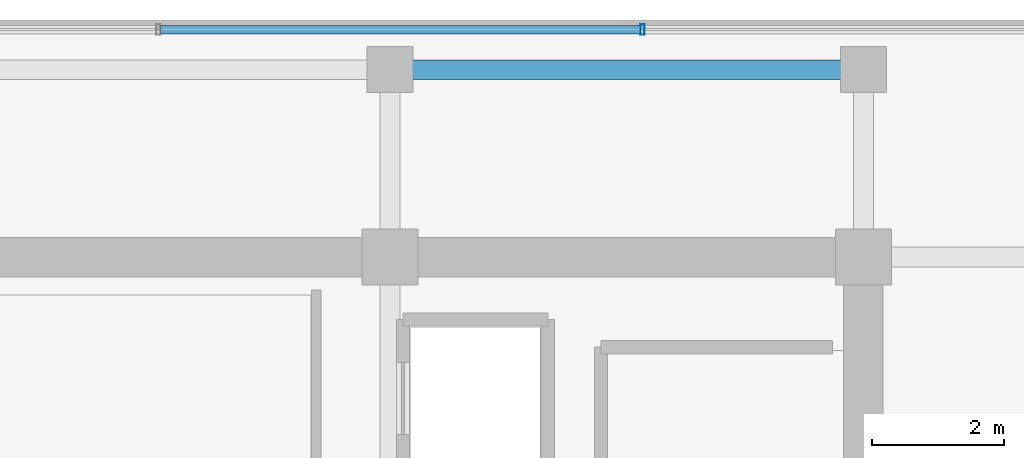
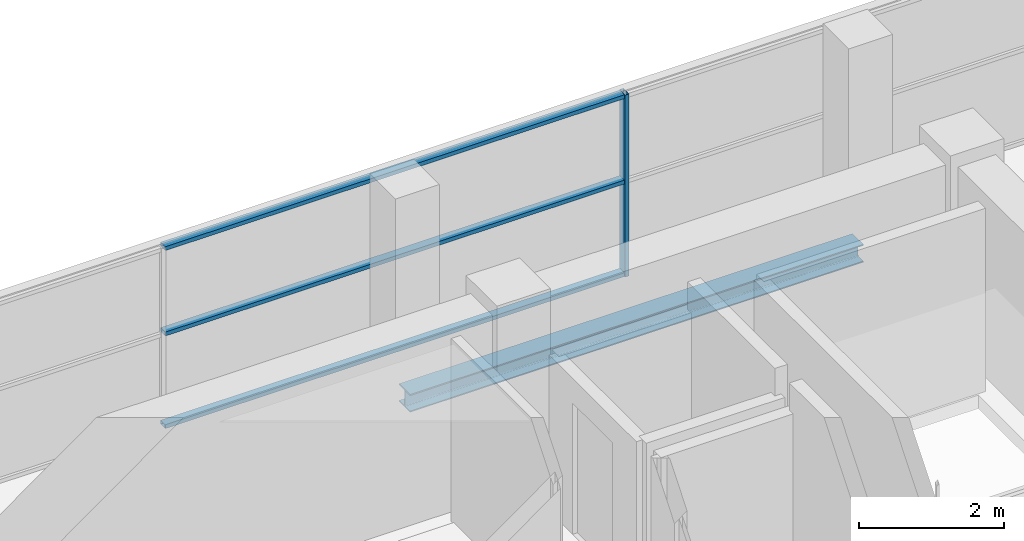
# One storey, part 20 of 29: 4 members, 1 beam, 1 element without a shape of its own.
"""IFC4 building model written with IfcOpenShell, lengths in metres."""

from ifc_helpers import new_model, si_unit, direction, frame, origin, origin_2d, place, context, subcontext, project, spatial, hollow_rectangle, i_section, extrude, source, transform, mapped, material, layer, layer_set, material_profile, profile_set, type_object, element, aggregate, save


model = new_model("IFC4")

# Units and contexts
model_context = context("Model", 3, precision=1e-05, world=origin(), true_north=direction((0.0, 1.0)))
body_context = subcontext(model_context, "Body", "Model", "MODEL_VIEW")
ifc_project = project(units=[si_unit("LENGTHUNIT", "METRE"), si_unit("AREAUNIT", "SQUARE_METRE"), si_unit("VOLUMEUNIT", "CUBIC_METRE"), si_unit("PLANEANGLEUNIT", "RADIAN"), si_unit("MASSUNIT", "GRAM", prefix="KILO")], contexts=[model_context])

# Site, building, storey
site_placement = place(None, origin())
site = spatial("IfcSite", under=ifc_project, at=site_placement, CompositionType="ELEMENT")
building_placement = place(site_placement, origin())
building = spatial("IfcBuilding", under=site, at=building_placement, Name="Zarnakvel Exchange Tower", CompositionType="ELEMENT")
storey_placement = place(building_placement, frame((0.0, 0.0, 265.0)))
storey = spatial("IfcBuildingStorey", under=building, at=storey_placement, Name="L75", CompositionType="ELEMENT", Elevation=265.0)

# Beam
ifc_material_1 = material(Name="Steel S355", Category="steel")
ifc_material_profile_1 = material_profile(ifc_material_1, i_section(OverallWidth=0.300048828125, OverallDepth=0.300048828125, WebThickness=0.010986328125, FlangeThickness=0.01904296875, FilletRadius=0.027099609375, at=origin_2d()))
ifc_profile_set_1 = profile_set([ifc_material_profile_1], Name="Steel S355")
beam_type = type_object("IfcBeamType", Name="SP-03", PredefinedType="SPANDREL", material=ifc_profile_set_1)
beam_placement = place(storey_placement, frame((7.199951171875, 16.35009765625, -0.375), z_axis=(1.0, 0.0, 0.0), x_axis=(0.0, 1.0, 0.0)))
element("IfcBeam", 1, at=beam_placement, inside=storey, type_object=beam_type, Name="L75 Tower E-W Frame Beam", PredefinedType="SPANDREL", context=body_context, shape_type="SweptSolid", body=[
    extrude(i_section(OverallWidth=0.300048828125, OverallDepth=0.300048828125, WebThickness=0.010986328125, FlangeThickness=0.01904296875, FilletRadius=0.027099609375, at=origin_2d()), origin(), (0.0, 0.0, 1.0), 7.199951171875),
])

# Curtain wall, members
ifc_material_2 = material(Name="Architectural Bronze Anodised Aluminium", Category="aluminium")
ifc_layer = layer(ifc_material_2, 0.159912109375)
ifc_layer_set = layer_set([ifc_layer], Name="Architectural Bronze Anodised Aluminium")
curtain_wall_type = type_object("IfcCurtainWallType", Name="CW-06", PredefinedType="NOTDEFINED", material=ifc_layer_set)
curtain_wall_placement = place(storey_placement, origin())
curtain_wall = element("IfcCurtainWall", 2, at=curtain_wall_placement, inside=storey, type_object=curtain_wall_type, Name="L75 Curtain Wall CW-L75-N1 (CW-06)", PredefinedType="NOTDEFINED")
ifc_material_profile_2 = material_profile(ifc_material_2, hollow_rectangle(XDim=0.1298828125, YDim=0.06494140625, WallThickness=0.00390625, at=origin_2d()))
ifc_profile_set_2 = profile_set([ifc_material_profile_2], Name="Architectural Bronze Anodised Aluminium")
member_type_1 = type_object("IfcMemberType", Name="CWT-06", PredefinedType="USERDEFINED", material=ifc_profile_set_2)
shared_shape_1 = source(origin(), body_context, "Body", "SweptSolid", [
    extrude(hollow_rectangle(XDim=0.1298828125, YDim=0.06494140625, WallThickness=0.00390625, at=origin_2d()), origin(), (0.0, 0.0, 1.0), 7.295166015625),
])
member_1_placement = place(storey_placement, frame((3.71240234375, 16.9599609375, 0.032470703125), z_axis=(1.0, 0.0, 0.0), x_axis=(0.0, 1.0, 0.0)))
member_1 = element("IfcMember", 3, at=member_1_placement, type_object=member_type_1, Name="CW-06 transom 4.1", ObjectType="TRANSOM", PredefinedType="USERDEFINED", context=body_context, shape_type="MappedRepresentation", body=[
    mapped(shared_shape_1, transform((0.0, 0.0, 0.0), x_axis=(1.0, 0.0, 0.0), y_axis=(0.0, 1.0, 0.0), z_axis=(0.0, 0.0, 1.0), scale=1.0)),
])
member_2_placement = place(storey_placement, frame((3.71240234375, 16.9599609375, 1.588623046875), z_axis=(1.0, 0.0, 0.0), x_axis=(0.0, 1.0, 0.0)))
member_2 = element("IfcMember", 4, at=member_2_placement, type_object=member_type_1, Name="CW-06 transom 4.2", ObjectType="TRANSOM", PredefinedType="USERDEFINED", context=body_context, shape_type="MappedRepresentation", body=[
    mapped(shared_shape_1, transform((0.0, 0.0, 0.0), x_axis=(1.0, 0.0, 0.0), y_axis=(0.0, 1.0, 0.0), z_axis=(0.0, 0.0, 1.0), scale=1.0)),
])
member_3_placement = place(storey_placement, frame((3.71240234375, 16.9599609375, 3.0224609375), z_axis=(1.0, 0.0, 0.0), x_axis=(0.0, 1.0, 0.0)))
member_3 = element("IfcMember", 5, at=member_3_placement, type_object=member_type_1, Name="CW-06 transom 4.3", ObjectType="TRANSOM", PredefinedType="USERDEFINED", context=body_context, shape_type="MappedRepresentation", body=[
    mapped(shared_shape_1, transform((0.0, 0.0, 0.0), x_axis=(1.0, 0.0, 0.0), y_axis=(0.0, 1.0, 0.0), z_axis=(0.0, 0.0, 1.0), scale=1.0)),
])
ifc_material_profile_3 = material_profile(ifc_material_2, hollow_rectangle(XDim=0.159912109375, YDim=0.06494140625, WallThickness=0.00390625, at=origin_2d()))
ifc_profile_set_3 = profile_set([ifc_material_profile_3], Name="Architectural Bronze Anodised Aluminium")
member_type_2 = type_object("IfcMemberType", Name="CWM-06", PredefinedType="MULLION", material=ifc_profile_set_3)
shared_shape_2 = source(origin(), body_context, "Body", "SweptSolid", [
    extrude(hollow_rectangle(XDim=0.159912109375, YDim=0.06494140625, WallThickness=0.00390625, at=origin_2d()), origin(), (0.0, 0.0, 1.0), 3.054931640625),
])
member_4_placement = place(storey_placement, frame((11.0400390625, 16.9599609375, 0.0), z_axis=(0.0, 0.0, 1.0), x_axis=(0.0, 1.0, 0.0)))
member_4 = element("IfcMember", 6, at=member_4_placement, type_object=member_type_2, Name="CW-06 mullion 5", PredefinedType="MULLION", context=body_context, shape_type="MappedRepresentation", body=[
    mapped(shared_shape_2, transform((0.0, 0.0, 0.0), x_axis=(1.0, 0.0, 0.0), y_axis=(0.0, 1.0, 0.0), z_axis=(0.0, 0.0, 1.0), scale=1.0)),
])
aggregate(curtain_wall, [member_4, member_1, member_2, member_3])

save(model, "model.ifc")
